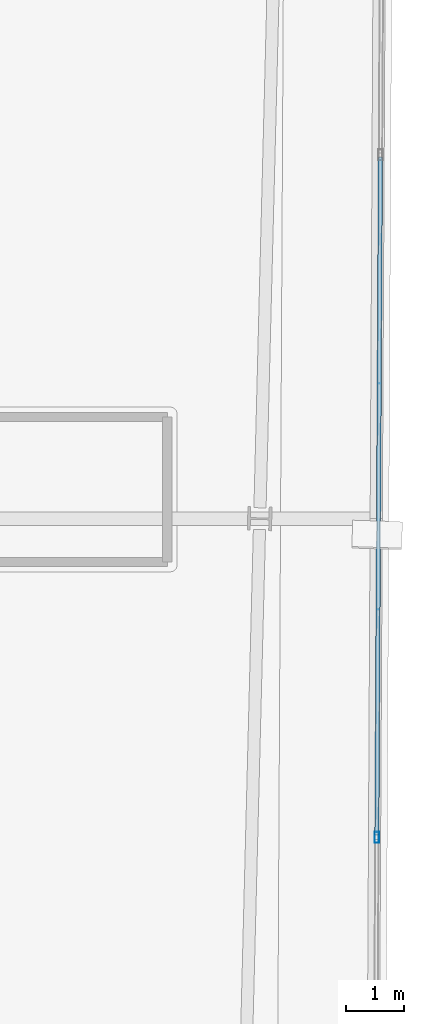
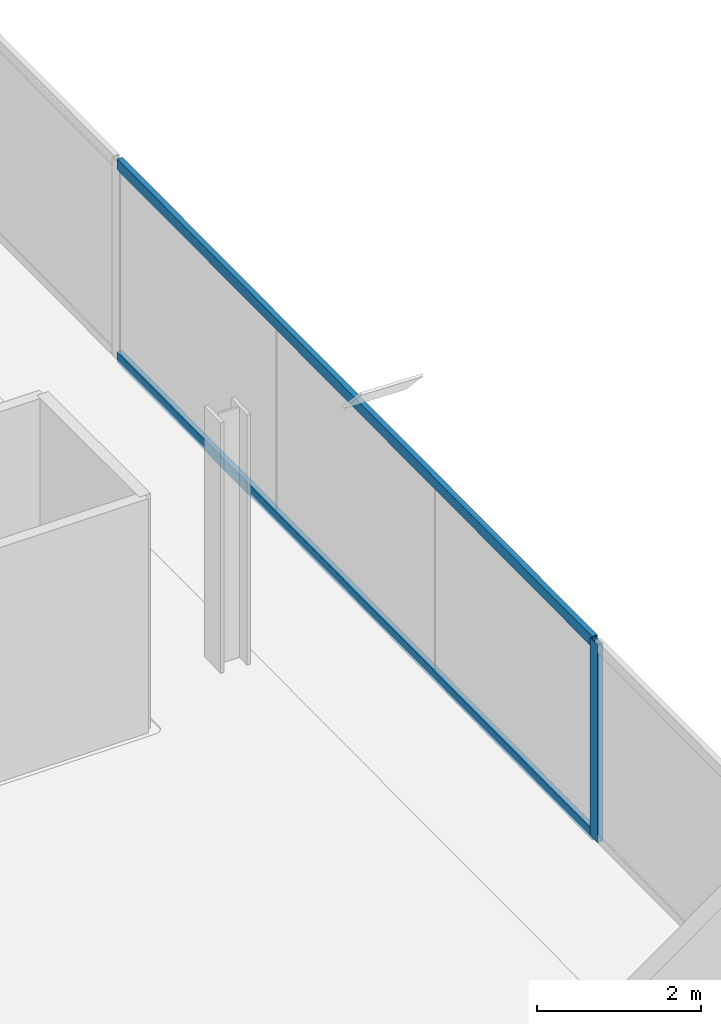
# One storey, part 11 of 24: 3 members, 1 element without a shape of its own.
"""IFC4 building model written with IfcOpenShell, lengths in metres."""

from ifc_helpers import new_model, si_unit, direction, frame, origin, origin_2d, place, context, subcontext, project, spatial, hollow_rectangle, extrude, material, material_profile, profile_set, type_object, element, aggregate, save


model = new_model("IFC4")

# Units and contexts
model_context = context("Model", 3, precision=1e-05, world=origin(), true_north=direction((0.0, 1.0)))
body_context = subcontext(model_context, "Body", "Model", "MODEL_VIEW")
ifc_project = project(units=[si_unit("LENGTHUNIT", "METRE"), si_unit("AREAUNIT", "SQUARE_METRE"), si_unit("VOLUMEUNIT", "CUBIC_METRE"), si_unit("PLANEANGLEUNIT", "RADIAN"), si_unit("MASSUNIT", "GRAM", prefix="KILO")], contexts=[model_context])

# Site, building, storey
site_placement = place(None, origin())
site = spatial("IfcSite", under=ifc_project, at=site_placement, CompositionType="ELEMENT")
building_placement = place(site_placement, origin())
building = spatial("IfcBuilding", under=site, at=building_placement, Name="Haldenkirk Collegiate Tower", CompositionType="ELEMENT")
storey_placement = place(building_placement, frame((0.0, 0.0, 328.949951171875)))
storey = spatial("IfcBuildingStorey", under=building, at=storey_placement, Name="L83", CompositionType="ELEMENT", Elevation=328.949951171875)

# Curtain wall, members
ifc_material = material(Name="Anodised architectural bronze aluminium", Category="aluminium")
curtain_wall_type = type_object("IfcCurtainWallType", Name="CW-SYS2-CONCAVE", PredefinedType="USERDEFINED", material=ifc_material)
curtain_wall_placement = place(storey_placement, origin())
curtain_wall = element("IfcCurtainWall", 1, at=curtain_wall_placement, inside=storey, type_object=curtain_wall_type, Name="L83 South concave recessed bronze-anodised curtain wall", ObjectType="UNITISED CURTAIN WALL", PredefinedType="USERDEFINED")
ifc_material_profile_1 = material_profile(ifc_material, hollow_rectangle(XDim=0.074951171875, YDim=0.18994140625, WallThickness=0.0048828125, at=origin_2d()), Name="CW-MUL-02")
ifc_profile_set_1 = profile_set([ifc_material_profile_1], Name="Anodised architectural bronze aluminium")
member_type_1 = type_object("IfcMemberType", Name="CW-MUL-02", PredefinedType="MULLION", material=ifc_profile_set_1)
member_1_placement = place(storey_placement, frame((57.913818359375, 20.001708984375, 0.0), z_axis=(0.0, 0.0, 1.0), x_axis=(0.999986296614, -0.00523512989, 0.0)))
member_1 = element("IfcMember", 2, at=member_1_placement, type_object=member_type_1, Name="CW-02 mullion 3", PredefinedType="MULLION", context=body_context, shape_type="SweptSolid", body=[
    extrude(hollow_rectangle(XDim=0.074951171875, YDim=0.18994140625, WallThickness=0.0048828125, at=origin_2d()), origin(), (0.0, 0.0, 1.0), 2.947998046875),
])
ifc_material_profile_2 = material_profile(ifc_material, hollow_rectangle(XDim=0.074951171875, YDim=0.159912109375, WallThickness=0.0048828125, at=origin_2d()), Name="CW-TRN-02")
ifc_profile_set_2 = profile_set([ifc_material_profile_2], Name="Anodised architectural bronze aluminium")
member_type_2 = type_object("IfcMemberType", Name="CW-TRN-02", PredefinedType="USERDEFINED", material=ifc_profile_set_2)
member_2_placement = place(storey_placement, frame((57.975341796875, 31.730712890625, 0.03759765625), z_axis=(-0.005241324597, -0.999986264164, 0.0), x_axis=(0.999986264164, -0.005241324597, 0.0)))
member_2 = element("IfcMember", 3, at=member_2_placement, type_object=member_type_2, Name="CW-02 transom 2.1", ObjectType="TRANSOM", PredefinedType="USERDEFINED", context=body_context, shape_type="SweptSolid", body=[
    extrude(hollow_rectangle(XDim=0.074951171875, YDim=0.159912109375, WallThickness=0.0048828125, at=origin_2d()), origin(), (0.0, 0.0, 1.0), 11.691650390625),
])
member_3_placement = place(storey_placement, frame((57.975341796875, 31.730712890625, 2.91064453125), z_axis=(-0.005241324597, -0.999986264164, 0.0), x_axis=(0.999986264164, -0.005241324597, 0.0)))
member_3 = element("IfcMember", 4, at=member_3_placement, type_object=member_type_2, Name="CW-02 transom 2.2", ObjectType="TRANSOM", PredefinedType="USERDEFINED", context=body_context, shape_type="SweptSolid", body=[
    extrude(hollow_rectangle(XDim=0.074951171875, YDim=0.159912109375, WallThickness=0.0048828125, at=origin_2d()), origin(), (0.0, 0.0, 1.0), 11.691650390625),
])
aggregate(curtain_wall, [member_1, member_2, member_3])

save(model, "model.ifc")
